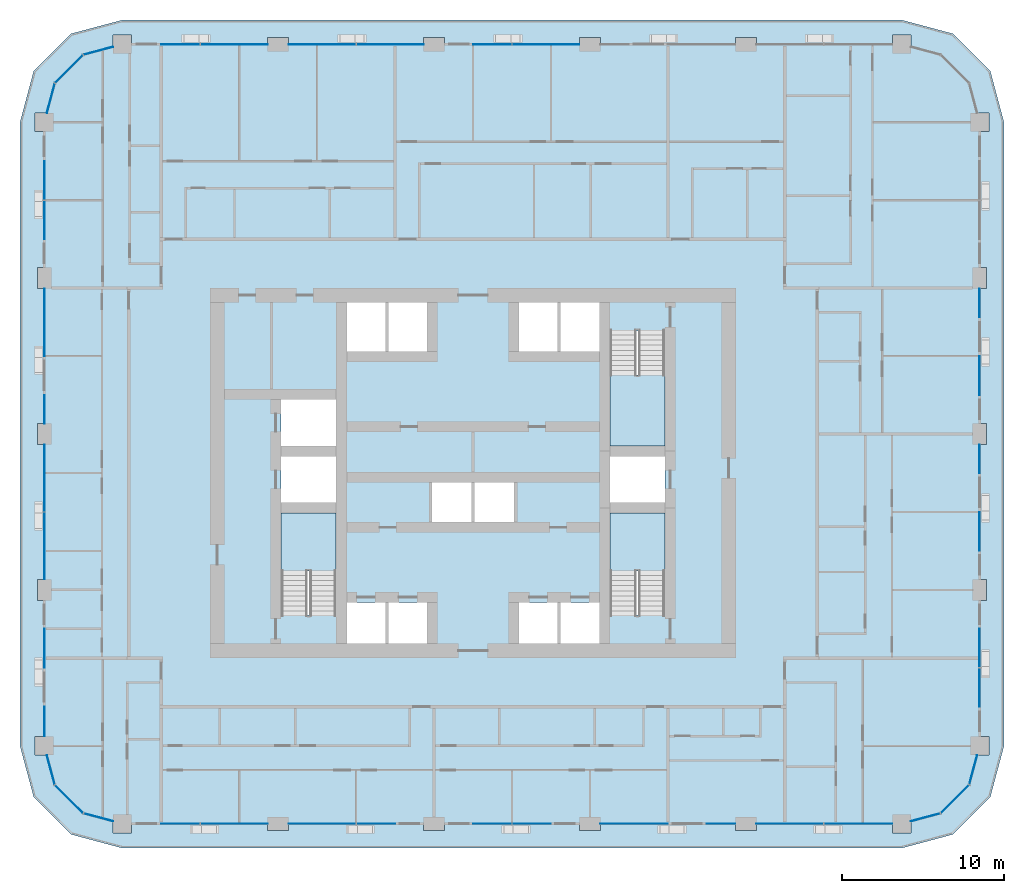
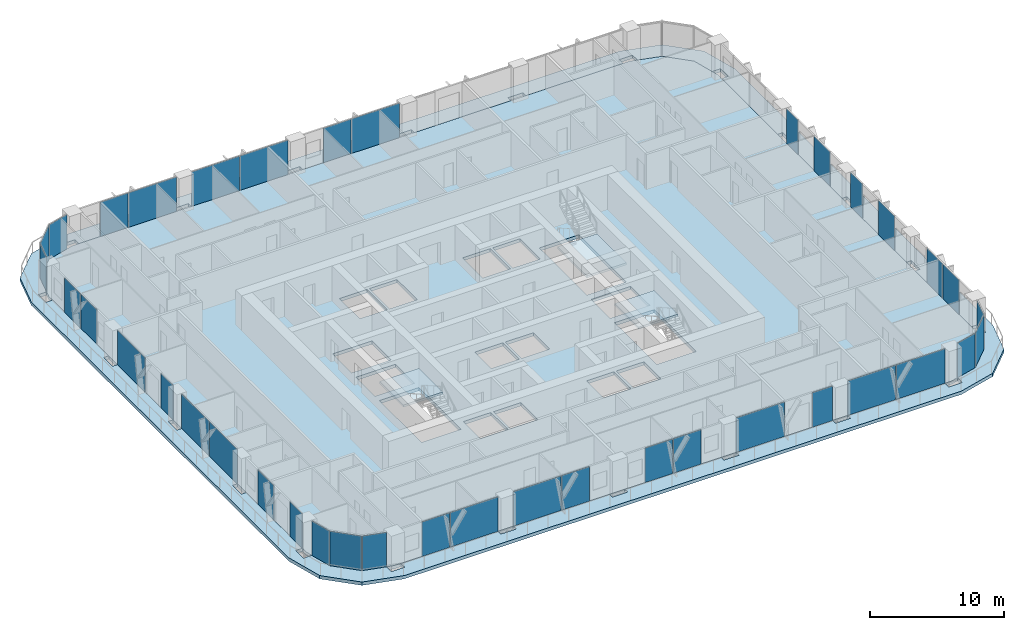
# One storey, part 7 of 21: 39 plates, 5 slabs, 21 elements without a shape of their own.
"""IFC4 building model written with IfcOpenShell, lengths in metres."""

from ifc_helpers import new_model, si_unit, direction, frame, origin, origin_2d, place, context, subcontext, project, spatial, polyline, rectangle, outline, extrude, material, layer, layer_set, type_object, element, aggregate, save


model = new_model("IFC4")

# Units and contexts
model_context = context("Model", 3, precision=1e-05, world=origin(), true_north=direction((0.0, 1.0)))
body_context = subcontext(model_context, "Body", "Model", "MODEL_VIEW")
ifc_project = project(units=[si_unit("LENGTHUNIT", "METRE"), si_unit("AREAUNIT", "SQUARE_METRE"), si_unit("VOLUMEUNIT", "CUBIC_METRE"), si_unit("PLANEANGLEUNIT", "RADIAN"), si_unit("MASSUNIT", "GRAM", prefix="KILO")], contexts=[model_context])

# Site, building, storey
site_placement = place(None, origin())
site = spatial("IfcSite", under=ifc_project, at=site_placement, CompositionType="ELEMENT")
building_placement = place(site_placement, origin())
building = spatial("IfcBuilding", under=site, at=building_placement, Name="Madar Terraces", CompositionType="ELEMENT")
storey_placement = place(building_placement, frame((0.0, 0.0, 96.199951171875)))
storey = spatial("IfcBuildingStorey", under=building, at=storey_placement, Name="L24", CompositionType="ELEMENT", Elevation=96.199951171875)

# Slabs
ifc_material_1 = material(Name="Concrete C50/60", Category="concrete")
ifc_layer_1 = layer(ifc_material_1, 0.300048828125)
ifc_layer_set_1 = layer_set([ifc_layer_1], Name="Balcony band 300")
slab_type_1 = type_object("IfcSlabType", Name="Balcony band 300", PredefinedType="FLOOR", material=ifc_layer_set_1)
slab_1_placement = place(storey_placement, frame((0.0, 0.0, -0.300048828125)))
element("IfcSlab", 1, at=slab_1_placement, inside=storey, type_object=slab_type_1, Name="Balcony band", PredefinedType="FLOOR", context=body_context, shape_type="SweptSolid", body=[
    extrude(outline(polyline([(9.60009765625, 3.300048828125), (6.449951171875, 4.14404296875), (4.14404296875, 6.449951171875), (3.300048828125, 9.60009765625), (3.300048828125, 48.0), (4.14404296875, 51.14990234375), (6.449951171875, 53.4560546875), (9.60009765625, 54.300048828125), (57.60009765625, 54.300048828125), (60.75, 53.4560546875), (63.055908203125, 51.14990234375), (63.89990234375, 48.0), (63.89990234375, 9.60009765625), (63.055908203125, 6.449951171875), (60.75, 4.14404296875), (57.60009765625, 3.300048828125), (9.60009765625, 3.300048828125)]), holes=[polyline([(10.175048828125, 4.22509765625), (10.175048828125, 4.800048828125), (18.550048828125, 4.800048828125), (18.550048828125, 4.375), (19.85009765625, 4.375), (19.85009765625, 4.800048828125), (28.14990234375, 4.800048828125), (28.14990234375, 4.375), (29.449951171875, 4.375), (29.449951171875, 4.800048828125), (37.75, 4.800048828125), (37.75, 4.375), (39.050048828125, 4.375), (39.050048828125, 4.800048828125), (47.35009765625, 4.800048828125), (47.35009765625, 4.375), (48.64990234375, 4.375), (48.64990234375, 4.800048828125), (57.02490234375, 4.800048828125), (57.02490234375, 4.22509765625), (58.175048828125, 4.22509765625), (58.175048828125, 4.9541015625), (60.0, 5.443115234375), (61.7568359375, 7.199951171875), (62.245849609375, 9.02490234375), (62.97509765625, 9.02490234375), (62.97509765625, 10.175048828125), (62.39990234375, 10.175048828125), (62.39990234375, 18.550048828125), (62.824951171875, 18.550048828125), (62.824951171875, 19.85009765625), (62.39990234375, 19.85009765625), (62.39990234375, 28.14990234375), (62.824951171875, 28.14990234375), (62.824951171875, 29.449951171875), (62.39990234375, 29.449951171875), (62.39990234375, 37.75), (62.824951171875, 37.75), (62.824951171875, 39.050048828125), (62.39990234375, 39.050048828125), (62.39990234375, 47.425048828125), (62.97509765625, 47.425048828125), (62.97509765625, 48.574951171875), (62.245849609375, 48.574951171875), (61.7568359375, 50.39990234375), (60.0, 52.156982421875), (58.175048828125, 52.64599609375), (58.175048828125, 53.375), (57.02490234375, 53.375), (57.02490234375, 52.800048828125), (48.64990234375, 52.800048828125), (48.64990234375, 53.22509765625), (47.35009765625, 53.22509765625), (47.35009765625, 52.800048828125), (39.050048828125, 52.800048828125), (39.050048828125, 53.22509765625), (37.75, 53.22509765625), (37.75, 52.800048828125), (29.449951171875, 52.800048828125), (29.449951171875, 53.22509765625), (28.14990234375, 53.22509765625), (28.14990234375, 52.800048828125), (19.85009765625, 52.800048828125), (19.85009765625, 53.22509765625), (18.550048828125, 53.22509765625), (18.550048828125, 52.800048828125), (10.175048828125, 52.800048828125), (10.175048828125, 53.375), (9.02490234375, 53.375), (9.02490234375, 52.64599609375), (7.199951171875, 52.156982421875), (5.443115234375, 50.39990234375), (4.9541015625, 48.574951171875), (4.22509765625, 48.574951171875), (4.22509765625, 47.425048828125), (4.800048828125, 47.425048828125), (4.800048828125, 39.050048828125), (4.375, 39.050048828125), (4.375, 37.75), (4.800048828125, 37.75), (4.800048828125, 29.449951171875), (4.375, 29.449951171875), (4.375, 28.14990234375), (4.800048828125, 28.14990234375), (4.800048828125, 19.85009765625), (4.375, 19.85009765625), (4.375, 18.550048828125), (4.800048828125, 18.550048828125), (4.800048828125, 10.175048828125), (4.22509765625, 10.175048828125), (4.22509765625, 9.02490234375), (4.9541015625, 9.02490234375), (5.443115234375, 7.199951171875), (7.199951171875, 5.443115234375), (9.02490234375, 4.9541015625), (9.02490234375, 4.22509765625), (10.175048828125, 4.22509765625)])]), origin(), (0.0, 0.0, 1.0), 0.300048828125),
])
ifc_material_2 = material(Name="Concrete C50/60", Category="concrete")
ifc_layer_2 = layer(ifc_material_2, 0.300048828125)
ifc_layer_set_2 = layer_set([ifc_layer_2], Name="FS2 PT flat slab 300")
slab_type_2 = type_object("IfcSlabType", Name="FS2 PT flat slab 300", PredefinedType="FLOOR", material=ifc_layer_set_2)
slab_2_placement = place(storey_placement, frame((0.0, 0.0, -0.300048828125)))
element("IfcSlab", 2, at=slab_2_placement, inside=storey, type_object=slab_type_2, Name="Floor slab L24 (1)", PredefinedType="FLOOR", context=body_context, shape_type="SweptSolid", body=[
    extrude(outline(polyline([(57.60009765625, 4.800048828125), (60.0, 5.443115234375), (61.7568359375, 7.199951171875), (62.39990234375, 9.60009765625), (62.39990234375, 48.0), (61.7568359375, 50.39990234375), (60.0, 52.156982421875), (57.60009765625, 52.800048828125), (9.60009765625, 52.800048828125), (7.199951171875, 52.156982421875), (5.443115234375, 50.39990234375), (4.800048828125, 48.0), (4.800048828125, 9.60009765625), (5.443115234375, 7.199951171875), (7.199951171875, 5.443115234375), (9.60009765625, 4.800048828125), (57.60009765625, 4.800048828125)]), holes=[polyline([(23.425048828125, 15.89990234375), (23.425048828125, 18.425048828125), (25.800048828125, 18.425048828125), (25.800048828125, 15.89990234375), (23.425048828125, 15.89990234375)]), polyline([(26.0, 15.89990234375), (26.0, 18.425048828125), (28.375, 18.425048828125), (28.375, 15.89990234375), (26.0, 15.89990234375)]), polyline([(19.375, 17.64990234375), (19.375, 23.925048828125), (22.77490234375, 23.925048828125), (22.77490234375, 17.64990234375), (19.375, 17.64990234375)]), polyline([(28.675048828125, 23.375), (28.675048828125, 25.824951171875), (31.10009765625, 25.824951171875), (31.10009765625, 23.375), (28.675048828125, 23.375)]), polyline([(19.375, 24.574951171875), (19.375, 27.425048828125), (22.77490234375, 27.425048828125), (22.77490234375, 24.574951171875), (19.375, 24.574951171875)]), polyline([(19.375, 28.074951171875), (19.375, 30.925048828125), (22.77490234375, 30.925048828125), (22.77490234375, 28.074951171875), (19.375, 28.074951171875)]), polyline([(23.425048828125, 33.875), (23.425048828125, 36.89990234375), (25.800048828125, 36.89990234375), (25.800048828125, 33.875), (23.425048828125, 33.875)]), polyline([(26.0, 33.875), (26.0, 36.89990234375), (28.375, 36.89990234375), (28.375, 33.875), (26.0, 33.875)]), polyline([(34.02490234375, 15.89990234375), (34.02490234375, 18.425048828125), (36.39990234375, 18.425048828125), (36.39990234375, 15.89990234375), (34.02490234375, 15.89990234375)]), polyline([(36.60009765625, 15.89990234375), (36.60009765625, 18.425048828125), (38.97509765625, 18.425048828125), (38.97509765625, 15.89990234375), (36.60009765625, 15.89990234375)]), polyline([(39.625, 17.64990234375), (39.625, 23.925048828125), (43.02490234375, 23.925048828125), (43.02490234375, 17.64990234375), (39.625, 17.64990234375)]), polyline([(31.300048828125, 23.375), (31.300048828125, 25.824951171875), (33.72509765625, 25.824951171875), (33.72509765625, 23.375), (31.300048828125, 23.375)]), polyline([(39.625, 24.574951171875), (39.625, 27.425048828125), (43.02490234375, 27.425048828125), (43.02490234375, 24.574951171875), (39.625, 24.574951171875)]), polyline([(39.625, 28.074951171875), (39.625, 35.14990234375), (43.02490234375, 35.14990234375), (43.02490234375, 28.074951171875), (39.625, 28.074951171875)]), polyline([(34.02490234375, 33.875), (34.02490234375, 36.89990234375), (36.39990234375, 36.89990234375), (36.39990234375, 33.875), (34.02490234375, 33.875)]), polyline([(36.60009765625, 33.875), (36.60009765625, 36.89990234375), (38.97509765625, 36.89990234375), (38.97509765625, 33.875), (36.60009765625, 33.875)])]), origin(), (0.0, 0.0, 1.0), 0.300048828125),
])

# Curtain wall, plates
ifc_material_3 = material(Name="Glass, ceramic frit dark grey, with black aluminium frame", Category="aluminium")
ifc_layer_3 = layer(ifc_material_3, 0.199951171875)
ifc_layer_set_3 = layer_set([ifc_layer_3], Name="Facade curtain wall, fritted glass")
curtain_wall_type = type_object("IfcCurtainWallType", Name="Facade curtain wall, fritted glass", PredefinedType="NOTDEFINED", material=ifc_layer_set_3)
curtain_wall_1_placement = place(storey_placement, origin())
curtain_wall_1 = element("IfcCurtainWall", 3, at=curtain_wall_1_placement, inside=storey, type_object=curtain_wall_type, Name="Outer skin curtain wall south bay 1", PredefinedType="NOTDEFINED")
ifc_material_4 = material(Name="Glass, ceramic frit dark grey", Category="glass")
ifc_layer_4 = layer(ifc_material_4, 0.028076171875)
ifc_layer_set_4 = layer_set([ifc_layer_4], Name="Facade glass panel 28")
plate_type = type_object("IfcPlateType", Name="Facade glass panel 28", PredefinedType="CURTAIN_PANEL", material=ifc_layer_set_4)
plate_1_placement = place(storey_placement, frame((13.18505859375, 4.800048828125, 0.0), z_axis=(0.0, 0.0, 1.0), x_axis=(1.0, 0.0, 0.0)))
plate_1 = element("IfcPlate", 4, at=plate_1_placement, type_object=plate_type, Name="Panel 1", PredefinedType="CURTAIN_PANEL", context=body_context, shape_type="SweptSolid", body=[
    extrude(rectangle(XDim=2.3701171875, YDim=0.028076171875, at=origin_2d()), origin(), (0.0, 0.0, 1.0), 3.139892578125),
])
plate_2_placement = place(storey_placement, frame((16.489990234375, 4.800048828125, 0.0), z_axis=(0.0, 0.0, 1.0), x_axis=(1.0, 0.0, 0.0)))
plate_2 = element("IfcPlate", 5, at=plate_2_placement, type_object=plate_type, Name="Panel 2", PredefinedType="CURTAIN_PANEL", context=body_context, shape_type="SweptSolid", body=[
    extrude(rectangle(XDim=4.1201171875, YDim=0.028076171875, at=origin_2d()), origin(), (0.0, 0.0, 1.0), 3.139892578125),
])
aggregate(curtain_wall_1, [plate_1, plate_2])

curtain_wall_2_placement = place(storey_placement, origin())
curtain_wall_2 = element("IfcCurtainWall", 6, at=curtain_wall_2_placement, inside=storey, type_object=curtain_wall_type, Name="Outer skin curtain wall south bay 2", PredefinedType="NOTDEFINED")
plate_3_placement = place(storey_placement, frame((21.909912109375, 4.800048828125, 0.0), z_axis=(0.0, 0.0, 1.0), x_axis=(1.0, 0.0, 0.0)))
plate_3 = element("IfcPlate", 7, at=plate_3_placement, type_object=plate_type, Name="Panel 1", PredefinedType="CURTAIN_PANEL", context=body_context, shape_type="SweptSolid", body=[
    extrude(rectangle(XDim=4.1201171875, YDim=0.028076171875, at=origin_2d()), origin(), (0.0, 0.0, 1.0), 3.139892578125),
])
plate_4_placement = place(storey_placement, frame((25.215087890625, 4.800048828125, 0.0), z_axis=(0.0, 0.0, 1.0), x_axis=(1.0, 0.0, 0.0)))
plate_4 = element("IfcPlate", 8, at=plate_4_placement, type_object=plate_type, Name="Panel 2", PredefinedType="CURTAIN_PANEL", context=body_context, shape_type="SweptSolid", body=[
    extrude(rectangle(XDim=2.3701171875, YDim=0.028076171875, at=origin_2d()), origin(), (0.0, 0.0, 1.0), 3.139892578125),
])
aggregate(curtain_wall_2, [plate_3, plate_4])

curtain_wall_3_placement = place(storey_placement, origin())
curtain_wall_3 = element("IfcCurtainWall", 9, at=curtain_wall_3_placement, inside=storey, type_object=curtain_wall_type, Name="Outer skin curtain wall south bay 3", PredefinedType="NOTDEFINED")
plate_5_placement = place(storey_placement, frame((32.385009765625, 4.800048828125, 0.0), z_axis=(0.0, 0.0, 1.0), x_axis=(1.0, 0.0, 0.0)))
plate_5 = element("IfcPlate", 10, at=plate_5_placement, type_object=plate_type, Name="Panel 1", PredefinedType="CURTAIN_PANEL", context=body_context, shape_type="SweptSolid", body=[
    extrude(rectangle(XDim=2.3701171875, YDim=0.028076171875, at=origin_2d()), origin(), (0.0, 0.0, 1.0), 3.139892578125),
])
plate_6_placement = place(storey_placement, frame((34.81494140625, 4.800048828125, 0.0), z_axis=(0.0, 0.0, 1.0), x_axis=(1.0, 0.0, 0.0)))
plate_6 = element("IfcPlate", 11, at=plate_6_placement, type_object=plate_type, Name="Panel 2", PredefinedType="CURTAIN_PANEL", context=body_context, shape_type="SweptSolid", body=[
    extrude(rectangle(XDim=2.3701171875, YDim=0.028076171875, at=origin_2d()), origin(), (0.0, 0.0, 1.0), 3.139892578125),
])
aggregate(curtain_wall_3, [plate_5, plate_6])

curtain_wall_4_placement = place(storey_placement, origin())
curtain_wall_4 = element("IfcCurtainWall", 12, at=curtain_wall_4_placement, inside=storey, type_object=curtain_wall_type, Name="Outer skin curtain wall south bay 4", PredefinedType="NOTDEFINED")
plate_7_placement = place(storey_placement, frame((41.125, 4.800048828125, 0.0), z_axis=(0.0, 0.0, 1.0), x_axis=(1.0, 0.0, 0.0)))
plate_7 = element("IfcPlate", 13, at=plate_7_placement, type_object=plate_type, Name="Panel 1", PredefinedType="CURTAIN_PANEL", context=body_context, shape_type="SweptSolid", body=[
    extrude(rectangle(XDim=4.14990234375, YDim=0.028076171875, at=origin_2d()), origin(), (0.0, 0.0, 1.0), 3.139892578125),
])
plate_8_placement = place(storey_placement, frame((46.47509765625, 4.800048828125, 0.0), z_axis=(0.0, 0.0, 1.0), x_axis=(1.0, 0.0, 0.0)))
plate_8 = element("IfcPlate", 14, at=plate_8_placement, type_object=plate_type, Name="Panel 2", PredefinedType="CURTAIN_PANEL", context=body_context, shape_type="SweptSolid", body=[
    extrude(rectangle(XDim=1.75, YDim=0.028076171875, at=origin_2d()), origin(), (0.0, 0.0, 1.0), 3.139892578125),
])
aggregate(curtain_wall_4, [plate_7, plate_8])

curtain_wall_5_placement = place(storey_placement, origin())
curtain_wall_5 = element("IfcCurtainWall", 15, at=curtain_wall_5_placement, inside=storey, type_object=curtain_wall_type, Name="Outer skin curtain wall south bay 5", PredefinedType="NOTDEFINED")
plate_9_placement = place(storey_placement, frame((50.7099609375, 4.800048828125, 0.0), z_axis=(0.0, 0.0, 1.0), x_axis=(1.0, 0.0, 0.0)))
plate_9 = element("IfcPlate", 16, at=plate_9_placement, type_object=plate_type, Name="Panel 1", PredefinedType="CURTAIN_PANEL", context=body_context, shape_type="SweptSolid", body=[
    extrude(rectangle(XDim=4.1201171875, YDim=0.028076171875, at=origin_2d()), origin(), (0.0, 0.0, 1.0), 3.139892578125),
])
plate_10_placement = place(storey_placement, frame((54.927490234375, 4.800048828125, 0.0), z_axis=(0.0, 0.0, 1.0), x_axis=(1.0, 0.0, 0.0)))
plate_10 = element("IfcPlate", 17, at=plate_10_placement, type_object=plate_type, Name="Panel 2", PredefinedType="CURTAIN_PANEL", context=body_context, shape_type="SweptSolid", body=[
    extrude(rectangle(XDim=4.195068359375, YDim=0.028076171875, at=origin_2d()), origin(), (0.0, 0.0, 1.0), 3.139892578125),
])
aggregate(curtain_wall_5, [plate_9, plate_10])

curtain_wall_6_placement = place(storey_placement, origin())
curtain_wall_6 = element("IfcCurtainWall", 18, at=curtain_wall_6_placement, inside=storey, type_object=curtain_wall_type, Name="Outer skin curtain wall east bay 1", PredefinedType="NOTDEFINED")
plate_11_placement = place(storey_placement, frame((62.39990234375, 13.18505859375, 0.0), z_axis=(0.0, 0.0, 1.0), x_axis=(0.0, 1.0, 0.0)))
plate_11 = element("IfcPlate", 19, at=plate_11_placement, type_object=plate_type, Name="Panel 1", PredefinedType="CURTAIN_PANEL", context=body_context, shape_type="SweptSolid", body=[
    extrude(rectangle(XDim=2.3701171875, YDim=0.028076171875, at=origin_2d()), origin(), (0.0, 0.0, 1.0), 3.139892578125),
])
plate_12_placement = place(storey_placement, frame((62.39990234375, 15.614990234375, 0.0), z_axis=(0.0, 0.0, 1.0), x_axis=(0.0, 1.0, 0.0)))
plate_12 = element("IfcPlate", 20, at=plate_12_placement, type_object=plate_type, Name="Panel 2", PredefinedType="CURTAIN_PANEL", context=body_context, shape_type="SweptSolid", body=[
    extrude(rectangle(XDim=2.3701171875, YDim=0.028076171875, at=origin_2d()), origin(), (0.0, 0.0, 1.0), 3.139892578125),
])
aggregate(curtain_wall_6, [plate_11, plate_12])

curtain_wall_7_placement = place(storey_placement, origin())
curtain_wall_7 = element("IfcCurtainWall", 21, at=curtain_wall_7_placement, inside=storey, type_object=curtain_wall_type, Name="Outer skin curtain wall east bay 2", PredefinedType="NOTDEFINED")
plate_13_placement = place(storey_placement, frame((62.39990234375, 22.800048828125, 0.0), z_axis=(0.0, 0.0, 1.0), x_axis=(0.0, 1.0, 0.0)))
plate_13 = element("IfcPlate", 22, at=plate_13_placement, type_object=plate_type, Name="Panel 1", PredefinedType="CURTAIN_PANEL", context=body_context, shape_type="SweptSolid", body=[
    extrude(rectangle(XDim=2.39990234375, YDim=0.028076171875, at=origin_2d()), origin(), (0.0, 0.0, 1.0), 3.139892578125),
])
plate_14_placement = place(storey_placement, frame((62.39990234375, 27.27490234375, 0.0), z_axis=(0.0, 0.0, 1.0), x_axis=(0.0, 1.0, 0.0)))
plate_14 = element("IfcPlate", 23, at=plate_14_placement, type_object=plate_type, Name="Panel 2", PredefinedType="CURTAIN_PANEL", context=body_context, shape_type="SweptSolid", body=[
    extrude(rectangle(XDim=1.75, YDim=0.028076171875, at=origin_2d()), origin(), (0.0, 0.0, 1.0), 3.139892578125),
])
aggregate(curtain_wall_7, [plate_13, plate_14])

curtain_wall_8_placement = place(storey_placement, origin())
curtain_wall_8 = element("IfcCurtainWall", 24, at=curtain_wall_8_placement, inside=storey, type_object=curtain_wall_type, Name="Outer skin curtain wall east bay 3", PredefinedType="NOTDEFINED")
plate_15_placement = place(storey_placement, frame((62.39990234375, 32.39990234375, 0.0), z_axis=(0.0, 0.0, 1.0), x_axis=(0.0, 1.0, 0.0)))
plate_15 = element("IfcPlate", 25, at=plate_15_placement, type_object=plate_type, Name="Panel 1", PredefinedType="CURTAIN_PANEL", context=body_context, shape_type="SweptSolid", body=[
    extrude(rectangle(XDim=2.39990234375, YDim=0.028076171875, at=origin_2d()), origin(), (0.0, 0.0, 1.0), 3.139892578125),
])
plate_16_placement = place(storey_placement, frame((62.39990234375, 36.875, 0.0), z_axis=(0.0, 0.0, 1.0), x_axis=(0.0, 1.0, 0.0)))
plate_16 = element("IfcPlate", 26, at=plate_16_placement, type_object=plate_type, Name="Panel 2", PredefinedType="CURTAIN_PANEL", context=body_context, shape_type="SweptSolid", body=[
    extrude(rectangle(XDim=1.75, YDim=0.028076171875, at=origin_2d()), origin(), (0.0, 0.0, 1.0), 3.139892578125),
])
aggregate(curtain_wall_8, [plate_15, plate_16])

curtain_wall_9_placement = place(storey_placement, origin())
curtain_wall_9 = element("IfcCurtainWall", 27, at=curtain_wall_9_placement, inside=storey, type_object=curtain_wall_type, Name="Outer skin curtain wall north bay 3", PredefinedType="NOTDEFINED")
plate_17_placement = place(storey_placement, frame((35.68994140625, 52.800048828125, 0.0), z_axis=(0.0, 0.0, 1.0), x_axis=(-1.0, 0.0, 0.0)))
plate_17 = element("IfcPlate", 28, at=plate_17_placement, type_object=plate_type, Name="Panel 1", PredefinedType="CURTAIN_PANEL", context=body_context, shape_type="SweptSolid", body=[
    extrude(rectangle(XDim=4.1201171875, YDim=0.028076171875, at=origin_2d()), origin(), (0.0, 0.0, 1.0), 3.139892578125),
])
plate_18_placement = place(storey_placement, frame((32.385009765625, 52.800048828125, 0.0), z_axis=(0.0, 0.0, 1.0), x_axis=(-1.0, 0.0, 0.0)))
plate_18 = element("IfcPlate", 29, at=plate_18_placement, type_object=plate_type, Name="Panel 2", PredefinedType="CURTAIN_PANEL", context=body_context, shape_type="SweptSolid", body=[
    extrude(rectangle(XDim=2.3701171875, YDim=0.028076171875, at=origin_2d()), origin(), (0.0, 0.0, 1.0), 3.139892578125),
])
aggregate(curtain_wall_9, [plate_17, plate_18])

curtain_wall_10_placement = place(storey_placement, origin())
curtain_wall_10 = element("IfcCurtainWall", 30, at=curtain_wall_10_placement, inside=storey, type_object=curtain_wall_type, Name="Outer skin curtain wall north bay 4", PredefinedType="NOTDEFINED")
plate_19_placement = place(storey_placement, frame((26.090087890625, 52.800048828125, 0.0), z_axis=(0.0, 0.0, 1.0), x_axis=(-1.0, 0.0, 0.0)))
plate_19 = element("IfcPlate", 31, at=plate_19_placement, type_object=plate_type, Name="Panel 1", PredefinedType="CURTAIN_PANEL", context=body_context, shape_type="SweptSolid", body=[
    extrude(rectangle(XDim=4.1201171875, YDim=0.028076171875, at=origin_2d()), origin(), (0.0, 0.0, 1.0), 3.139892578125),
])
plate_20_placement = place(storey_placement, frame((21.909912109375, 52.800048828125, 0.0), z_axis=(0.0, 0.0, 1.0), x_axis=(-1.0, 0.0, 0.0)))
plate_20 = element("IfcPlate", 32, at=plate_20_placement, type_object=plate_type, Name="Panel 2", PredefinedType="CURTAIN_PANEL", context=body_context, shape_type="SweptSolid", body=[
    extrude(rectangle(XDim=4.1201171875, YDim=0.028076171875, at=origin_2d()), origin(), (0.0, 0.0, 1.0), 3.139892578125),
])
aggregate(curtain_wall_10, [plate_19, plate_20])

curtain_wall_11_placement = place(storey_placement, origin())
curtain_wall_11 = element("IfcCurtainWall", 33, at=curtain_wall_11_placement, inside=storey, type_object=curtain_wall_type, Name="Outer skin curtain wall north bay 5", PredefinedType="NOTDEFINED")
plate_21_placement = place(storey_placement, frame((16.489990234375, 52.800048828125, 0.0), z_axis=(0.0, 0.0, 1.0), x_axis=(-1.0, 0.0, 0.0)))
plate_21 = element("IfcPlate", 34, at=plate_21_placement, type_object=plate_type, Name="Panel 1", PredefinedType="CURTAIN_PANEL", context=body_context, shape_type="SweptSolid", body=[
    extrude(rectangle(XDim=4.1201171875, YDim=0.028076171875, at=origin_2d()), origin(), (0.0, 0.0, 1.0), 3.139892578125),
])
plate_22_placement = place(storey_placement, frame((13.18505859375, 52.800048828125, 0.0), z_axis=(0.0, 0.0, 1.0), x_axis=(-1.0, 0.0, 0.0)))
plate_22 = element("IfcPlate", 35, at=plate_22_placement, type_object=plate_type, Name="Panel 2", PredefinedType="CURTAIN_PANEL", context=body_context, shape_type="SweptSolid", body=[
    extrude(rectangle(XDim=2.3701171875, YDim=0.028076171875, at=origin_2d()), origin(), (0.0, 0.0, 1.0), 3.139892578125),
])
aggregate(curtain_wall_11, [plate_21, plate_22])

curtain_wall_12_placement = place(storey_placement, origin())
curtain_wall_12 = element("IfcCurtainWall", 36, at=curtain_wall_12_placement, inside=storey, type_object=curtain_wall_type, Name="Outer skin curtain wall west bay 1", PredefinedType="NOTDEFINED")
plate_23_placement = place(storey_placement, frame((4.800048828125, 44.4150390625, 0.0), z_axis=(0.0, 0.0, 1.0), x_axis=(0.0, -1.0, 0.0)))
plate_23 = element("IfcPlate", 37, at=plate_23_placement, type_object=plate_type, Name="Panel 1", PredefinedType="CURTAIN_PANEL", context=body_context, shape_type="SweptSolid", body=[
    extrude(rectangle(XDim=2.3701171875, YDim=0.028076171875, at=origin_2d()), origin(), (0.0, 0.0, 1.0), 3.139892578125),
])
plate_24_placement = place(storey_placement, frame((4.800048828125, 41.985107421875, 0.0), z_axis=(0.0, 0.0, 1.0), x_axis=(0.0, -1.0, 0.0)))
plate_24 = element("IfcPlate", 38, at=plate_24_placement, type_object=plate_type, Name="Panel 2", PredefinedType="CURTAIN_PANEL", context=body_context, shape_type="SweptSolid", body=[
    extrude(rectangle(XDim=2.3701171875, YDim=0.028076171875, at=origin_2d()), origin(), (0.0, 0.0, 1.0), 3.139892578125),
])
aggregate(curtain_wall_12, [plate_23, plate_24])

curtain_wall_13_placement = place(storey_placement, origin())
curtain_wall_13 = element("IfcCurtainWall", 39, at=curtain_wall_13_placement, inside=storey, type_object=curtain_wall_type, Name="Outer skin curtain wall west bay 2", PredefinedType="NOTDEFINED")
plate_25_placement = place(storey_placement, frame((4.800048828125, 35.675048828125, 0.0), z_axis=(0.0, 0.0, 1.0), x_axis=(0.0, -1.0, 0.0)))
plate_25 = element("IfcPlate", 40, at=plate_25_placement, type_object=plate_type, Name="Panel 1", PredefinedType="CURTAIN_PANEL", context=body_context, shape_type="SweptSolid", body=[
    extrude(rectangle(XDim=4.14990234375, YDim=0.028076171875, at=origin_2d()), origin(), (0.0, 0.0, 1.0), 3.139892578125),
])
plate_26_placement = place(storey_placement, frame((4.800048828125, 30.324951171875, 0.0), z_axis=(0.0, 0.0, 1.0), x_axis=(0.0, -1.0, 0.0)))
plate_26 = element("IfcPlate", 41, at=plate_26_placement, type_object=plate_type, Name="Panel 2", PredefinedType="CURTAIN_PANEL", context=body_context, shape_type="SweptSolid", body=[
    extrude(rectangle(XDim=1.75, YDim=0.028076171875, at=origin_2d()), origin(), (0.0, 0.0, 1.0), 3.139892578125),
])
aggregate(curtain_wall_13, [plate_25, plate_26])

curtain_wall_14_placement = place(storey_placement, origin())
curtain_wall_14 = element("IfcCurtainWall", 42, at=curtain_wall_14_placement, inside=storey, type_object=curtain_wall_type, Name="Outer skin curtain wall west bay 3", PredefinedType="NOTDEFINED")
plate_27_placement = place(storey_placement, frame((4.800048828125, 26.090087890625, 0.0), z_axis=(0.0, 0.0, 1.0), x_axis=(0.0, -1.0, 0.0)))
plate_27 = element("IfcPlate", 43, at=plate_27_placement, type_object=plate_type, Name="Panel 1", PredefinedType="CURTAIN_PANEL", context=body_context, shape_type="SweptSolid", body=[
    extrude(rectangle(XDim=4.1201171875, YDim=0.028076171875, at=origin_2d()), origin(), (0.0, 0.0, 1.0), 3.139892578125),
])
plate_28_placement = place(storey_placement, frame((4.800048828125, 21.909912109375, 0.0), z_axis=(0.0, 0.0, 1.0), x_axis=(0.0, -1.0, 0.0)))
plate_28 = element("IfcPlate", 44, at=plate_28_placement, type_object=plate_type, Name="Panel 2", PredefinedType="CURTAIN_PANEL", context=body_context, shape_type="SweptSolid", body=[
    extrude(rectangle(XDim=4.1201171875, YDim=0.028076171875, at=origin_2d()), origin(), (0.0, 0.0, 1.0), 3.139892578125),
])
aggregate(curtain_wall_14, [plate_27, plate_28])

curtain_wall_15_placement = place(storey_placement, origin())
curtain_wall_15 = element("IfcCurtainWall", 45, at=curtain_wall_15_placement, inside=storey, type_object=curtain_wall_type, Name="Outer skin curtain wall west bay 4", PredefinedType="NOTDEFINED")
plate_29_placement = place(storey_placement, frame((4.800048828125, 15.60009765625, 0.0), z_axis=(0.0, 0.0, 1.0), x_axis=(0.0, -1.0, 0.0)))
plate_29 = element("IfcPlate", 46, at=plate_29_placement, type_object=plate_type, Name="Panel 1", PredefinedType="CURTAIN_PANEL", context=body_context, shape_type="SweptSolid", body=[
    extrude(rectangle(XDim=2.39990234375, YDim=0.028076171875, at=origin_2d()), origin(), (0.0, 0.0, 1.0), 3.139892578125),
])
plate_30_placement = place(storey_placement, frame((4.800048828125, 11.08740234375, 0.0), z_axis=(0.0, 0.0, 1.0), x_axis=(0.0, -1.0, 0.0)))
plate_30 = element("IfcPlate", 47, at=plate_30_placement, type_object=plate_type, Name="Panel 2", PredefinedType="CURTAIN_PANEL", context=body_context, shape_type="SweptSolid", body=[
    extrude(rectangle(XDim=1.824951171875, YDim=0.028076171875, at=origin_2d()), origin(), (0.0, 0.0, 1.0), 3.139892578125),
])
aggregate(curtain_wall_15, [plate_29, plate_30])

curtain_wall_16_placement = place(storey_placement, origin())
curtain_wall_16 = element("IfcCurtainWall", 48, at=curtain_wall_16_placement, inside=storey, type_object=curtain_wall_type, Name="Outer skin curtain wall south-east corner", PredefinedType="NOTDEFINED")
plate_31_placement = place(storey_placement, frame((59.072998046875, 5.194580078125, 0.0), z_axis=(0.0, 0.0, 1.0), x_axis=(0.965925832509, 0.258819021888, 0.0)))
plate_31 = element("IfcPlate", 49, at=plate_31_placement, type_object=plate_type, Name="Panel 1", PredefinedType="CURTAIN_PANEL", context=body_context, shape_type="SweptSolid", body=[
    extrude(rectangle(XDim=1.859375, YDim=0.028076171875, at=origin_2d()), origin(), (0.0, 0.0, 1.0), 3.139892578125),
])
plate_32_placement = place(storey_placement, frame((60.87841796875, 6.321533203125, 0.0), z_axis=(0.0, 0.0, 1.0), x_axis=(0.707106781187, 0.707106781187, 0.0)))
plate_32 = element("IfcPlate", 50, at=plate_32_placement, type_object=plate_type, Name="Panel 2", PredefinedType="CURTAIN_PANEL", context=body_context, shape_type="SweptSolid", body=[
    extrude(rectangle(XDim=2.424560546875, YDim=0.028076171875, at=origin_2d()), origin(), (0.0, 0.0, 1.0), 3.139892578125),
])
plate_33_placement = place(storey_placement, frame((62.00537109375, 8.126953125, 0.0), z_axis=(0.0, 0.0, 1.0), x_axis=(0.258819021888, 0.965925832509, 0.0)))
plate_33 = element("IfcPlate", 51, at=plate_33_placement, type_object=plate_type, Name="Panel 3", PredefinedType="CURTAIN_PANEL", context=body_context, shape_type="SweptSolid", body=[
    extrude(rectangle(XDim=1.859375, YDim=0.028076171875, at=origin_2d()), origin(), (0.0, 0.0, 1.0), 3.139892578125),
])
aggregate(curtain_wall_16, [plate_31, plate_32, plate_33])

curtain_wall_17_placement = place(storey_placement, origin())
curtain_wall_17 = element("IfcCurtainWall", 52, at=curtain_wall_17_placement, inside=storey, type_object=curtain_wall_type, Name="Outer skin curtain wall north-west corner", PredefinedType="NOTDEFINED")
plate_34_placement = place(storey_placement, frame((8.126953125, 52.4052734375, 0.0), z_axis=(0.0, 0.0, 1.0), x_axis=(-0.965925832509, -0.258819021888, 0.0)))
plate_34 = element("IfcPlate", 53, at=plate_34_placement, type_object=plate_type, Name="Panel 1", PredefinedType="CURTAIN_PANEL", context=body_context, shape_type="SweptSolid", body=[
    extrude(rectangle(XDim=1.859375, YDim=0.028076171875, at=origin_2d()), origin(), (0.0, 0.0, 1.0), 3.139892578125),
])
plate_35_placement = place(storey_placement, frame((6.321533203125, 51.278564453125, 0.0), z_axis=(0.0, 0.0, 1.0), x_axis=(-0.707106781187, -0.707106781187, 0.0)))
plate_35 = element("IfcPlate", 54, at=plate_35_placement, type_object=plate_type, Name="Panel 2", PredefinedType="CURTAIN_PANEL", context=body_context, shape_type="SweptSolid", body=[
    extrude(rectangle(XDim=2.424560546875, YDim=0.028076171875, at=origin_2d()), origin(), (0.0, 0.0, 1.0), 3.139892578125),
])
plate_36_placement = place(storey_placement, frame((5.194580078125, 49.472900390625, 0.0), z_axis=(0.0, 0.0, 1.0), x_axis=(-0.258819021888, -0.965925832509, 0.0)))
plate_36 = element("IfcPlate", 55, at=plate_36_placement, type_object=plate_type, Name="Panel 3", PredefinedType="CURTAIN_PANEL", context=body_context, shape_type="SweptSolid", body=[
    extrude(rectangle(XDim=1.859375, YDim=0.028076171875, at=origin_2d()), origin(), (0.0, 0.0, 1.0), 3.139892578125),
])
aggregate(curtain_wall_17, [plate_34, plate_35, plate_36])

curtain_wall_18_placement = place(storey_placement, origin())
curtain_wall_18 = element("IfcCurtainWall", 56, at=curtain_wall_18_placement, inside=storey, type_object=curtain_wall_type, Name="Outer skin curtain wall south-west corner", PredefinedType="NOTDEFINED")
plate_37_placement = place(storey_placement, frame((5.194580078125, 8.126953125, 0.0), z_axis=(0.0, 0.0, 1.0), x_axis=(0.258819021888, -0.965925832509, 0.0)))
plate_37 = element("IfcPlate", 57, at=plate_37_placement, type_object=plate_type, Name="Panel 1", PredefinedType="CURTAIN_PANEL", context=body_context, shape_type="SweptSolid", body=[
    extrude(rectangle(XDim=1.859375, YDim=0.028076171875, at=origin_2d()), origin(), (0.0, 0.0, 1.0), 3.139892578125),
])
plate_38_placement = place(storey_placement, frame((6.321533203125, 6.321533203125, 0.0), z_axis=(0.0, 0.0, 1.0), x_axis=(0.707106781187, -0.707106781187, 0.0)))
plate_38 = element("IfcPlate", 58, at=plate_38_placement, type_object=plate_type, Name="Panel 2", PredefinedType="CURTAIN_PANEL", context=body_context, shape_type="SweptSolid", body=[
    extrude(rectangle(XDim=2.424560546875, YDim=0.028076171875, at=origin_2d()), origin(), (0.0, 0.0, 1.0), 3.139892578125),
])
plate_39_placement = place(storey_placement, frame((8.126953125, 5.194580078125, 0.0), z_axis=(0.0, 0.0, 1.0), x_axis=(0.965925832509, -0.258819021888, 0.0)))
plate_39 = element("IfcPlate", 59, at=plate_39_placement, type_object=plate_type, Name="Panel 3", PredefinedType="CURTAIN_PANEL", context=body_context, shape_type="SweptSolid", body=[
    extrude(rectangle(XDim=1.859375, YDim=0.028076171875, at=origin_2d()), origin(), (0.0, 0.0, 1.0), 3.139892578125),
])
aggregate(curtain_wall_18, [plate_37, plate_38, plate_39])

# Stair, slab
ifc_material_5 = material(Name="Concrete C50/60", Category="concrete")
stair_type_1 = type_object("IfcStairType", Name="Stair ST1 protected exit", PredefinedType="HALF_TURN_STAIR", material=ifc_material_5)
stair_1_placement = place(storey_placement, origin())
stair_1 = element("IfcStair", 60, at=stair_1_placement, inside=storey, type_object=stair_type_1, Name="L24 Protected Exit Stair ST1", PredefinedType="HALF_TURN_STAIR")
ifc_material_6 = material(Name="Concrete C50/60", Category="concrete")
ifc_layer_5 = layer(ifc_material_6, 0.199951171875)
ifc_layer_set_5 = layer_set([ifc_layer_5], Name="Stair landing 200, top +1.75")
slab_type_3 = type_object("IfcSlabType", Name="Stair landing 200, top +1.75", PredefinedType="LANDING", material=ifc_layer_set_5)
slab_3_placement = place(storey_placement, frame((0.0, 0.0, 1.550048828125)))
slab_3 = element("IfcSlab", 61, at=slab_3_placement, type_object=slab_type_3, Name="ST1 landing 1", PredefinedType="LANDING", context=body_context, shape_type="SweptSolid", body=[
    extrude(outline(polyline([(19.375, 20.360107421875), (22.77490234375, 20.360107421875), (22.77490234375, 23.925048828125), (19.375, 23.925048828125), (19.375, 20.360107421875)])), origin(), (0.0, 0.0, 1.0), 0.199951171875),
])
aggregate(stair_1, [slab_3])

ifc_material_7 = material(Name="Concrete C50/60", Category="concrete")
stair_type_2 = type_object("IfcStairType", Name="Stair ST2 protected exit", PredefinedType="HALF_TURN_STAIR", material=ifc_material_7)
stair_2_placement = place(storey_placement, origin())
stair_2 = element("IfcStair", 62, at=stair_2_placement, inside=storey, type_object=stair_type_2, Name="L24 Protected Exit Stair ST2", PredefinedType="HALF_TURN_STAIR")
slab_4_placement = place(storey_placement, frame((0.0, 0.0, 1.550048828125)))
slab_4 = element("IfcSlab", 63, at=slab_4_placement, type_object=slab_type_3, Name="ST2 landing 1", PredefinedType="LANDING", context=body_context, shape_type="SweptSolid", body=[
    extrude(outline(polyline([(39.625, 28.074951171875), (43.02490234375, 28.074951171875), (43.02490234375, 32.43994140625), (39.625, 32.43994140625), (39.625, 28.074951171875)])), origin(), (0.0, 0.0, 1.0), 0.199951171875),
])
aggregate(stair_2, [slab_4])

ifc_material_8 = material(Name="Concrete C50/60", Category="concrete")
stair_type_3 = type_object("IfcStairType", Name="Stair ST3 protected exit", PredefinedType="HALF_TURN_STAIR", material=ifc_material_8)
stair_3_placement = place(storey_placement, origin())
stair_3 = element("IfcStair", 64, at=stair_3_placement, inside=storey, type_object=stair_type_3, Name="L24 Protected Exit Stair ST3", PredefinedType="HALF_TURN_STAIR")
slab_5_placement = place(storey_placement, frame((0.0, 0.0, 1.550048828125)))
slab_5 = element("IfcSlab", 65, at=slab_5_placement, type_object=slab_type_3, Name="ST3 landing 1", PredefinedType="LANDING", context=body_context, shape_type="SweptSolid", body=[
    extrude(outline(polyline([(39.625, 20.360107421875), (43.02490234375, 20.360107421875), (43.02490234375, 23.925048828125), (39.625, 23.925048828125), (39.625, 20.360107421875)])), origin(), (0.0, 0.0, 1.0), 0.199951171875),
])
aggregate(stair_3, [slab_5])

save(model, "model.ifc")
